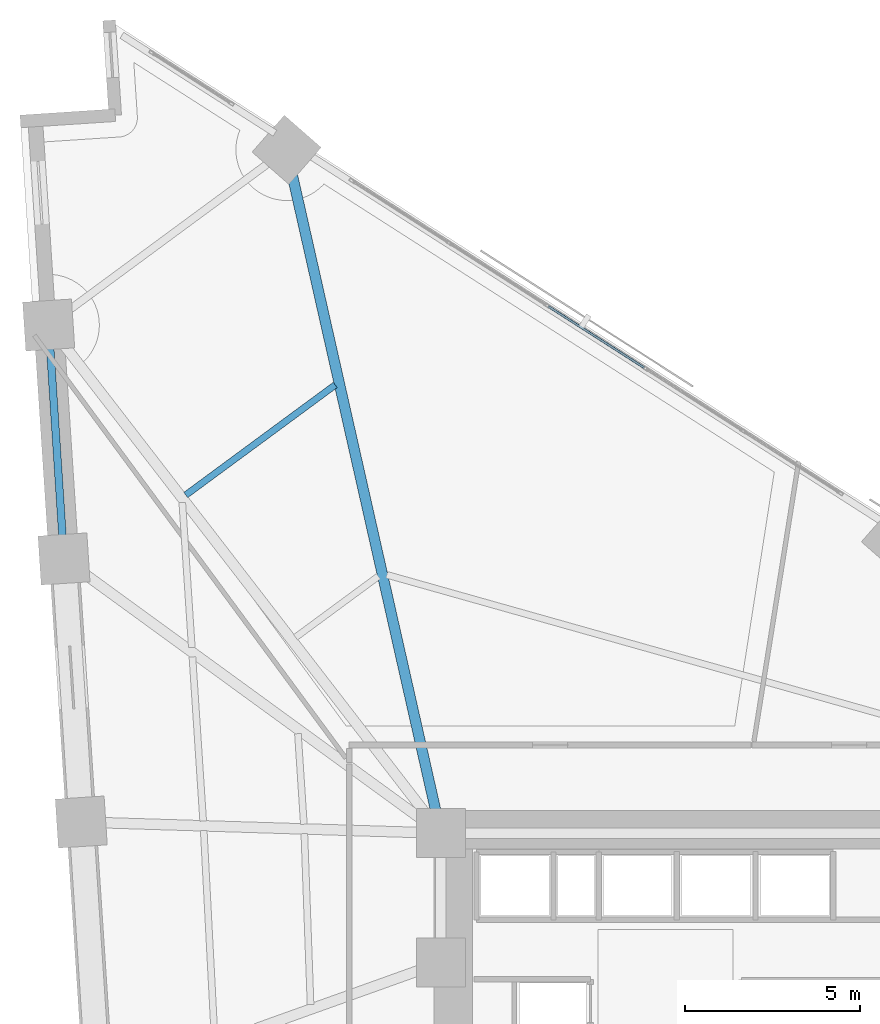
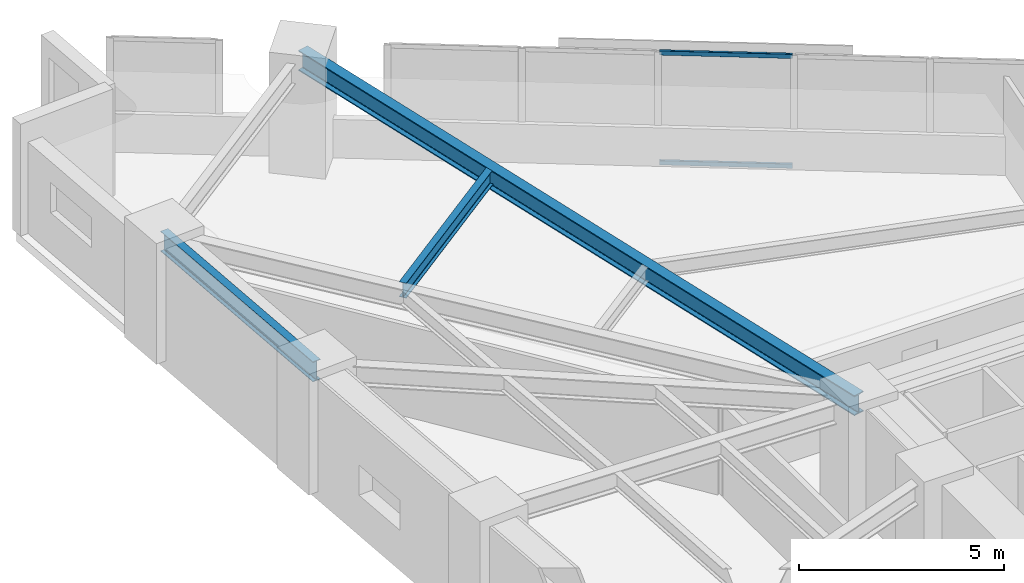
# One storey, part 8 of 16: 3 beams, 2 members, 1 element without a shape of its own.
"""IFC4 building model written with IfcOpenShell, lengths in metres."""

from ifc_helpers import new_model, si_unit, direction, frame, origin, origin_2d, place, context, subcontext, project, spatial, hollow_rectangle, i_section, extrude, material, material_profile, profile_set, type_object, element, aggregate, save


model = new_model("IFC4")

# Units and contexts
model_context = context("Model", 3, precision=1e-05, world=origin(), true_north=direction((0.0, 1.0)))
body_context = subcontext(model_context, "Body", "Model", "MODEL_VIEW")
ifc_project = project(units=[si_unit("LENGTHUNIT", "METRE"), si_unit("AREAUNIT", "SQUARE_METRE"), si_unit("VOLUMEUNIT", "CUBIC_METRE"), si_unit("PLANEANGLEUNIT", "RADIAN"), si_unit("MASSUNIT", "GRAM", prefix="KILO")], contexts=[model_context])

# Site, building, storey
site_placement = place(None, origin())
site = spatial("IfcSite", under=ifc_project, at=site_placement, CompositionType="ELEMENT")
building_placement = place(site_placement, origin())
building = spatial("IfcBuilding", under=site, at=building_placement, Name="Narakoshi Arena Tower", CompositionType="ELEMENT")
storey_placement = place(building_placement, frame((0.0, 0.0, 88.5)))
storey = spatial("IfcBuildingStorey", under=building, at=storey_placement, Name="L23", CompositionType="ELEMENT", Elevation=88.5)

# Beams
ifc_material_1 = material(Name="Structural steel S355J2", Category="steel")
ifc_material_profile_1 = material_profile(ifc_material_1, i_section(OverallWidth=0.219970703125, OverallDepth=0.60009765625, WebThickness=0.011962890625, FlangeThickness=0.01904296875, FilletRadius=0.02392578125, at=origin_2d()), Name="IPE600")
ifc_profile_set_1 = profile_set([ifc_material_profile_1], Name="Structural steel S355J2")
beam_type_1 = type_object("IfcBeamType", Name="BM-EDGE-600", PredefinedType="BEAM", material=ifc_profile_set_1)
beam_1_placement = place(storey_placement, frame((60.785400390625, 71.031005859375, 3.0400390625), z_axis=(0.065421350693, -0.997857728774, 0.0), x_axis=(0.997857728774, 0.065421350693, 0.0)))
element("IfcBeam", 1, at=beam_1_placement, inside=storey, type_object=beam_type_1, Name="L23 Perimeter Edge Girder 12", PredefinedType="BEAM", context=body_context, shape_type="SweptSolid", body=[
    extrude(i_section(OverallWidth=0.219970703125, OverallDepth=0.60009765625, WebThickness=0.011962890625, FlangeThickness=0.01904296875, FilletRadius=0.02392578125, at=origin_2d()), origin(), (0.0, 0.0, 1.0), 6.702392578125),
])
ifc_material_profile_2 = material_profile(ifc_material_1, i_section(OverallWidth=0.300048828125, OverallDepth=0.60009765625, WebThickness=0.015380859375, FlangeThickness=0.030029296875, FilletRadius=0.027099609375, at=origin_2d()), Name="HE600B")
ifc_profile_set_2 = profile_set([ifc_material_profile_2], Name="Structural steel S355J2")
beam_type_2 = type_object("IfcBeamType", Name="BM-PRI-600", PredefinedType="BEAM", material=ifc_profile_set_2)
beam_2_placement = place(storey_placement, frame((72.0, 56.5, 3.0400390625), z_axis=(-0.220123978285, 0.975471903329, 0.0), x_axis=(-0.975471903329, -0.220123978285, 0.0)))
element("IfcBeam", 2, at=beam_2_placement, inside=storey, type_object=beam_type_2, Name="L23 Radial Primary Floor Girder 11", PredefinedType="BEAM", context=body_context, shape_type="SweptSolid", body=[
    extrude(i_section(OverallWidth=0.300048828125, OverallDepth=0.60009765625, WebThickness=0.015380859375, FlangeThickness=0.030029296875, FilletRadius=0.027099609375, at=origin_2d()), origin(), (0.0, 0.0, 1.0), 20.034912109375),
])
ifc_material_profile_3 = material_profile(ifc_material_1, i_section(OverallWidth=0.18994140625, OverallDepth=0.449951171875, WebThickness=0.009521484375, FlangeThickness=0.0146484375, FilletRadius=0.02099609375, at=origin_2d()), Name="IPE450")
ifc_profile_set_3 = profile_set([ifc_material_profile_3], Name="Structural steel S355J2")
beam_type_3 = type_object("IfcBeamType", Name="BM-SEC-450", PredefinedType="JOIST", material=ifc_profile_set_3)
beam_3_placement = place(storey_placement, frame((68.980712890625, 69.318603515625, 3.114990234375), z_axis=(-0.805130974255, -0.593097053015, 0.0), x_axis=(0.593097053015, -0.805130974255, 0.0)))
element("IfcBeam", 3, at=beam_3_placement, inside=storey, type_object=beam_type_3, Name="L23 Composite Secondary Floor Joist 11", PredefinedType="JOIST", context=body_context, shape_type="SweptSolid", body=[
    extrude(i_section(OverallWidth=0.18994140625, OverallDepth=0.449951171875, WebThickness=0.009521484375, FlangeThickness=0.0146484375, FilletRadius=0.02099609375, at=origin_2d()), origin(), (0.0, 0.0, 1.0), 5.30810546875),
])

# Curtain wall, members
ifc_material_2 = material(Name="Anodised bronze aluminium 6063-T6", Category="aluminium")
curtain_wall_type = type_object("IfcCurtainWallType", Name="CW-HYP-LOW", PredefinedType="NOTDEFINED", material=ifc_material_2)
curtain_wall_placement = place(storey_placement, origin())
curtain_wall = element("IfcCurtainWall", 4, at=curtain_wall_placement, inside=storey, type_object=curtain_wall_type, Name="L23 Folded Hypotenuse Curtain Wall 2-2", PredefinedType="NOTDEFINED")
ifc_material_profile_4 = material_profile(ifc_material_2, hollow_rectangle(XDim=0.06494140625, YDim=0.1298828125, WallThickness=0.00390625, OuterFilletRadius=0.0048828125, at=origin_2d()), Name="TRN130x65x4")
ifc_profile_set_4 = profile_set([ifc_material_profile_4], Name="Anodised bronze aluminium 6063-T6")
member_type = type_object("IfcMemberType", Name="MEM-TRN-130", PredefinedType="USERDEFINED", material=ifc_profile_set_4)
member_1_placement = place(storey_placement, frame((77.81201171875, 69.813720703125, 0.032470703125), z_axis=(-0.842407668774, 0.5388407182, 0.0), x_axis=(-0.5388407182, -0.842407668774, 0.0)))
member_1 = element("IfcMember", 5, at=member_1_placement, type_object=member_type, Name="CW-01 transom 3.1", ObjectType="TRANSOM", PredefinedType="USERDEFINED", context=body_context, shape_type="SweptSolid", body=[
    extrude(hollow_rectangle(XDim=0.06494140625, YDim=0.1298828125, WallThickness=0.00390625, OuterFilletRadius=0.0048828125, at=origin_2d()), origin(), (0.0, 0.0, 1.0), 3.253173828125),
])
member_2_placement = place(storey_placement, frame((77.81201171875, 69.813720703125, 3.3076171875), z_axis=(-0.842407668774, 0.5388407182, 0.0), x_axis=(-0.5388407182, -0.842407668774, 0.0)))
member_2 = element("IfcMember", 6, at=member_2_placement, type_object=member_type, Name="CW-01 transom 3.2", ObjectType="TRANSOM", PredefinedType="USERDEFINED", context=body_context, shape_type="SweptSolid", body=[
    extrude(hollow_rectangle(XDim=0.06494140625, YDim=0.1298828125, WallThickness=0.00390625, OuterFilletRadius=0.0048828125, at=origin_2d()), origin(), (0.0, 0.0, 1.0), 3.253173828125),
])
aggregate(curtain_wall, [member_1, member_2])

save(model, "model.ifc")
